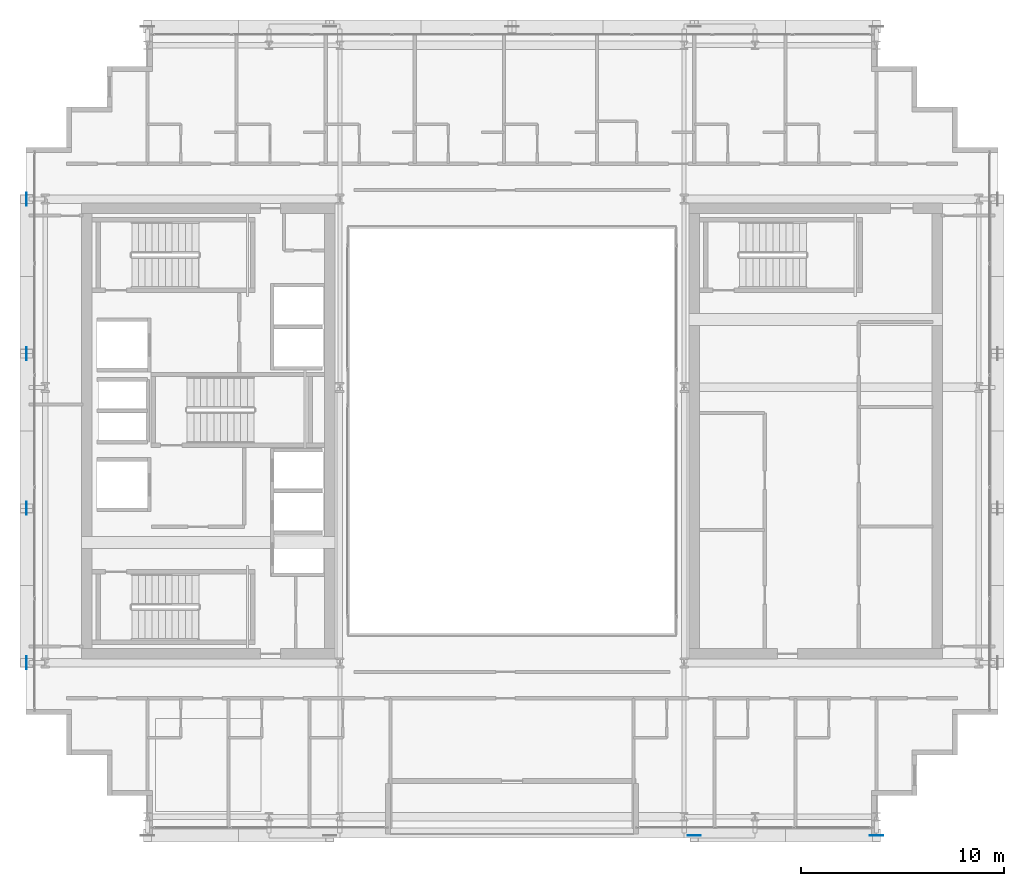
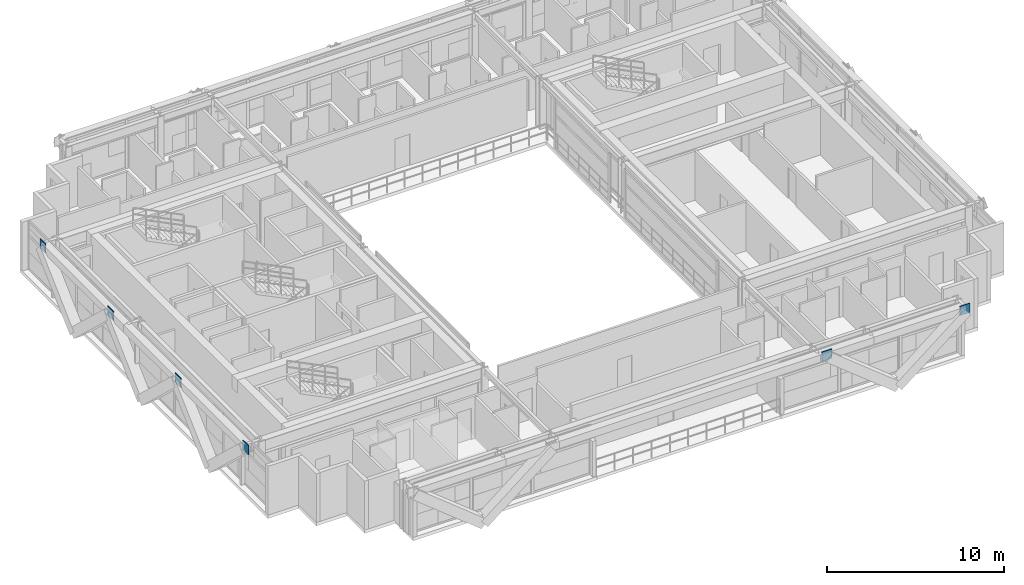
# One storey, part 27 of 38: 6 plates.
"""IFC4 building model written with IfcOpenShell, lengths in metres."""

from ifc_helpers import new_model, si_unit, direction, frame, origin, origin_2d, place, context, subcontext, project, spatial, rectangle, extrude, source, transform, mapped, material, layer, layer_set, type_object, element, save


model = new_model("IFC4")

# Units and contexts
model_context = context("Model", 3, precision=1e-05, world=origin(), true_north=direction((0.0, 1.0)))
body_context = subcontext(model_context, "Body", "Model", "MODEL_VIEW")
ifc_project = project(units=[si_unit("LENGTHUNIT", "METRE"), si_unit("AREAUNIT", "SQUARE_METRE"), si_unit("VOLUMEUNIT", "CUBIC_METRE"), si_unit("PLANEANGLEUNIT", "RADIAN"), si_unit("MASSUNIT", "GRAM", prefix="KILO")], contexts=[model_context])

# Site, building, storey
site_placement = place(None, origin())
site = spatial("IfcSite", under=ifc_project, at=site_placement, CompositionType="ELEMENT")
building_placement = place(site_placement, origin())
building = spatial("IfcBuilding", under=site, at=building_placement, Name="Ocotamira Hotel", CompositionType="ELEMENT")
storey_placement = place(building_placement, frame((0.0, 0.0, 170.39990234375)))
storey = spatial("IfcBuildingStorey", under=building, at=storey_placement, Name="L42", CompositionType="ELEMENT", Elevation=170.39990234375)

# Plates
ifc_material = material(Name="Pale-metal coated steel ASTM A572 Grade 50", Category="steel")
ifc_layer = layer(ifc_material, 0.0400390625)
ifc_layer_set = layer_set([ifc_layer], Name="Pale-metal coated steel ASTM A572 Grade 50")
plate_type = type_object("IfcPlateType", Name="PLT-GUSSET-40", PredefinedType="SHEET", material=ifc_layer_set)
shared_shape_1 = source(origin(), body_context, "Body", "SweptSolid", [
    extrude(rectangle(XDim=0.64990234375, YDim=0.0400390625, at=origin_2d()), origin(), (0.0, 0.0, 1.0), 0.64990234375),
])
for number, where, z_axis, x_axis, name in (
    (1, (41.0, 6.030029296875, 2.795166015625), (0.0, 0.0, 1.0), (-1.0, 0.0, 0.0), "L42 Exoskeleton Diagrid S3.1 End Gusset B"),
    (2, (50.0, 6.030029296875, 2.795166015625), (0.0, 0.0, 1.0), (1.0, 0.0, 0.0), "L42 Exoskeleton Diagrid S3.2 End Gusset B"),
):
    element("IfcPlate", number, at=place(storey_placement, frame(where, z_axis=z_axis, x_axis=x_axis)), inside=storey, type_object=plate_type, Name=name, PredefinedType="SHEET", context=body_context, shape_type="MappedRepresentation", body=[
        mapped(shared_shape_1, transform((0.0, 0.0, 0.0), scale=1.0)),
    ])
shared_shape_2 = source(origin(), body_context, "Body", "SweptSolid", [
    extrude(rectangle(XDim=0.0400390625, YDim=0.64990234375, at=origin_2d()), origin(), (0.0, 0.0, 1.0), 0.64990234375),
])
for number, where, z_axis, x_axis, name in (
    (3, (8.030029296875, 14.550048828125, 2.795166015625), (0.0, 0.0, 1.0), (1.0, 0.0, 0.0), "L42 Exoskeleton Diagrid W0.1 End Gusset B"),
    (4, (8.030029296875, 22.183349609375, 2.795166015625), (0.0, 0.0, 1.0), (1.0, 0.0, 0.0), "L42 Exoskeleton Diagrid W0.2 End Gusset B"),
    (5, (8.030029296875, 29.816650390625, 2.795166015625), (0.0, 0.0, 1.0), (1.0, 0.0, 0.0), "L42 Exoskeleton Diagrid W1.2 End Gusset B"),
    (6, (8.030029296875, 37.449951171875, 2.795166015625), (0.0, 0.0, 1.0), (1.0, 0.0, 0.0), "L42 Exoskeleton Diagrid W2.2 End Gusset B"),
):
    element("IfcPlate", number, at=place(storey_placement, frame(where, z_axis=z_axis, x_axis=x_axis)), inside=storey, type_object=plate_type, Name=name, PredefinedType="SHEET", context=body_context, shape_type="MappedRepresentation", body=[
        mapped(shared_shape_2, transform((0.0, 0.0, 0.0), scale=1.0)),
    ])

save(model, "model.ifc")
